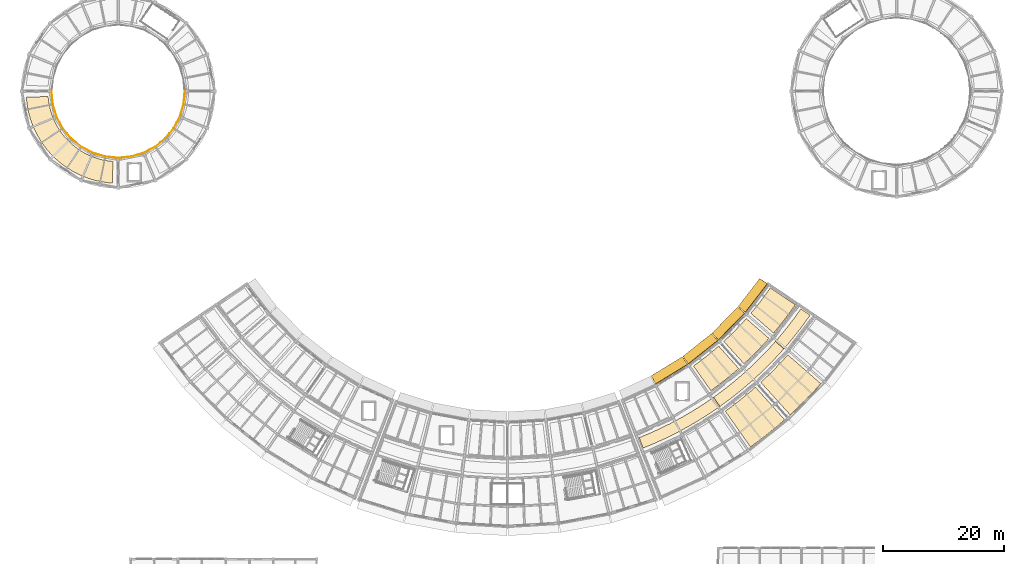
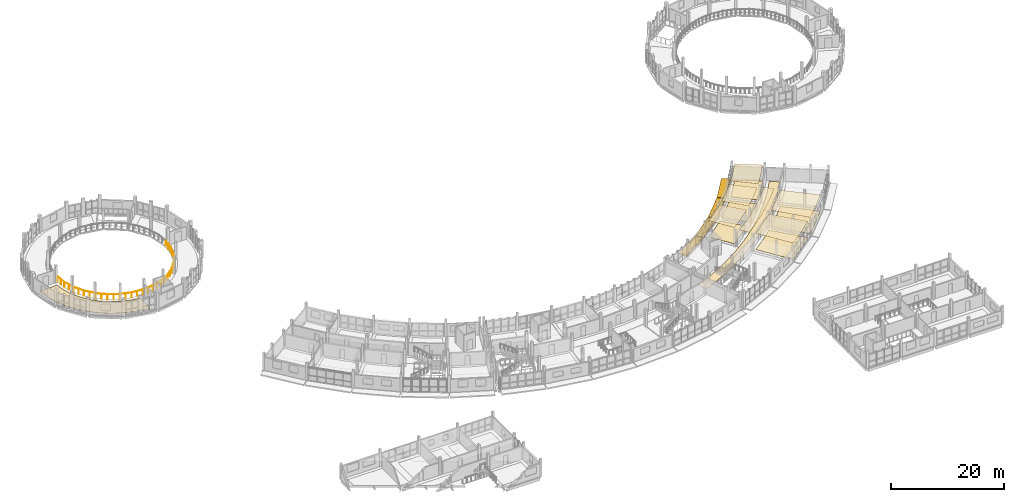
# One storey, part 74 of 77: 17 coverings, 4 shading devices, 1 railing.
"""IFC4 building model written with IfcOpenShell, lengths in metres."""

from ifc_helpers import new_model, si_unit, direction, frame, origin, origin_2d, place, context, subcontext, project, spatial, polyline, circle, outline, extrude, material, layer, layer_set, type_object, element, save


model = new_model("IFC4")

# Units and contexts
model_context = context("Model", 3, precision=1e-05, world=origin(), true_north=direction((0.0, 1.0)))
body_context = subcontext(model_context, "Body", "Model", "MODEL_VIEW")
ifc_project = project(units=[si_unit("LENGTHUNIT", "METRE"), si_unit("AREAUNIT", "SQUARE_METRE"), si_unit("VOLUMEUNIT", "CUBIC_METRE"), si_unit("PLANEANGLEUNIT", "RADIAN"), si_unit("MASSUNIT", "GRAM", prefix="KILO")], contexts=[model_context])

# Site, building, storey
site_placement = place(None, origin())
site = spatial("IfcSite", under=ifc_project, at=site_placement, CompositionType="ELEMENT")
building_placement = place(site_placement, origin())
building = spatial("IfcBuilding", under=site, at=building_placement, Name="Caldaven Crescent School", CompositionType="ELEMENT")
storey_placement = place(building_placement, frame((0.0, 0.0, 4.419921875)))
storey = spatial("IfcBuildingStorey", under=building, at=storey_placement, Name="L01", CompositionType="ELEMENT", Elevation=4.419921875)

# Coverings
ifc_material_1 = material(Name="White architectural GFRC precast concrete C35/45 cladding", Category="concrete")
ifc_layer_1 = layer(ifc_material_1, 0.260009765625)
ifc_layer_set_1 = layer_set([ifc_layer_1], Name="White architectural GFRC precast concrete C35/45 cladding")
covering_type_1 = type_object("IfcCoveringType", Name="COV-CLD2", PredefinedType="CLADDING", material=ifc_layer_set_1)
covering_1_placement = place(storey_placement, frame((0.0, 0.0, -0.260009765625)))
element("IfcCovering", 1, at=covering_1_placement, inside=storey, type_object=covering_type_1, Name="CLD-IN-L01-025", PredefinedType="CLADDING", context=body_context, shape_type="SweptSolid", body=[
    extrude(outline(polyline([(111.802001953125, 51.34765625), (116.9794921875, 54.5205078125), (117.89599609375, 53.208984375), (112.5546875, 49.935791015625), (111.802001953125, 51.34765625)])), origin(), (0.0, 0.0, 1.0), 0.260009765625),
])
covering_2_placement = place(storey_placement, frame((0.0, 0.0, -0.260009765625)))
element("IfcCovering", 2, at=covering_2_placement, inside=storey, type_object=covering_type_1, Name="CLD-IN-L01-027", PredefinedType="CLADDING", context=body_context, shape_type="SweptSolid", body=[
    extrude(outline(polyline([(117.06640625, 54.581298828125), (121.818603515625, 58.361328125), (122.887939453125, 57.17138671875), (117.9853515625, 53.271728515625), (117.06640625, 54.581298828125)])), origin(), (0.0, 0.0, 1.0), 0.260009765625),
])
covering_3_placement = place(storey_placement, frame((0.0, 0.0, -0.260009765625)))
element("IfcCovering", 3, at=covering_3_placement, inside=storey, type_object=covering_type_1, Name="CLD-IN-L01-029", PredefinedType="CLADDING", context=body_context, shape_type="SweptSolid", body=[
    extrude(outline(polyline([(121.8974609375, 58.432373046875), (126.153564453125, 62.763427734375), (127.35986328125, 61.71240234375), (122.96923828125, 57.244384765625), (121.8974609375, 58.432373046875)])), origin(), (0.0, 0.0, 1.0), 0.260009765625),
])
covering_4_placement = place(storey_placement, frame((0.0, 0.0, -0.260009765625)))
element("IfcCovering", 4, at=covering_4_placement, inside=storey, type_object=covering_type_1, Name="CLD-IN-L01-031", PredefinedType="CLADDING", context=body_context, shape_type="SweptSolid", body=[
    extrude(outline(polyline([(126.22314453125, 62.843505859375), (129.80322265625, 67.4892578125), (131.125, 66.587890625), (127.431640625, 61.794921875), (126.22314453125, 62.843505859375)])), origin(), (0.0, 0.0, 1.0), 0.260009765625),
])
ifc_material_2 = material(Name="Perforated Pino Radiata acoustic timber baffle ceiling", Category="wood")
ifc_layer_2 = layer(ifc_material_2, 0.030029296875)
ifc_layer_set_2 = layer_set([ifc_layer_2], Name="Perforated Pino Radiata acoustic timber baffle ceiling")
covering_type_2 = type_object("IfcCoveringType", Name="COV-CLG1", PredefinedType="CEILING", material=ifc_layer_set_2)
covering_5_placement = place(storey_placement, frame((0.0, 0.0, 3.489990234375)))
element("IfcCovering", 5, at=covering_5_placement, inside=storey, type_object=covering_type_2, Name="CLG-L01-132", PredefinedType="CEILING", context=body_context, shape_type="SweptSolid", body=[
    extrude(outline(polyline([(122.281494140625, 47.8955078125), (122.29443359375, 47.90478515625), (123.9677734375, 49.14306640625), (123.98046875, 49.152587890625), (125.60888671875, 50.44970703125), (125.62109375, 50.459716796875), (127.202392578125, 51.813720703125), (127.21435546875, 51.82421875), (128.74658203125, 53.2333984375), (128.758056640625, 53.244384765625), (130.239501953125, 54.707275390625), (130.25048828125, 54.718505859375), (131.678955078125, 56.23291015625), (131.689697265625, 56.244873046875), (132.396484375, 57.0498046875), (133.799560546875, 55.829345703125), (133.059814453125, 54.987060546875), (131.5751953125, 53.412841796875), (130.03564453125, 51.892578125), (128.443115234375, 50.427734375), (126.79931640625, 49.0205078125), (125.106689453125, 47.672607421875), (123.36767578125, 46.385498046875), (123.2119140625, 46.27880859375), (122.143310546875, 47.80078125), (122.281494140625, 47.8955078125)])), origin(), (0.0, 0.0, 1.0), 0.030029296875),
])
covering_6_placement = place(storey_placement, frame((0.0, 0.0, 3.489990234375)))
element("IfcCovering", 6, at=covering_6_placement, inside=storey, type_object=covering_type_2, Name="CLG-L01-136", PredefinedType="CEILING", context=body_context, shape_type="SweptSolid", body=[
    extrude(outline(polyline([(125.189697265625, 46.304931640625), (125.2001953125, 46.312744140625), (126.63427734375, 47.41943359375), (126.644775390625, 47.427734375), (128.04541015625, 48.575927734375), (128.0556640625, 48.58447265625), (129.08740234375, 49.482421875), (133.932861328125, 44.075927734375), (132.735107421875, 43.03369140625), (131.158935546875, 41.74169921875), (129.54541015625, 40.496826171875), (128.260498046875, 39.56396484375), (124.082763671875, 45.50146484375), (125.189697265625, 46.304931640625)])), origin(), (0.0, 0.0, 1.0), 0.030029296875),
])
ifc_layer_3 = layer(ifc_material_2, 0.0380859375)
ifc_layer_set_3 = layer_set([ifc_layer_3], Name="Perforated Pino Radiata acoustic timber baffle ceiling")
covering_type_3 = type_object("IfcCoveringType", Name="COV-CLG2", PredefinedType="CEILING", material=ifc_layer_set_3)
covering_7_placement = place(storey_placement, frame((0.0, 0.0, 3.482177734375)))
element("IfcCovering", 7, at=covering_7_placement, inside=storey, type_object=covering_type_3, Name="CLG-L01-137", PredefinedType="CEILING", context=body_context, shape_type="SweptSolid", body=[
    extrude(outline(polyline([(124.640869140625, 57.802734375), (124.650390625, 57.81201171875), (125.747802734375, 58.896240234375), (125.757080078125, 58.905517578125), (126.822021484375, 60.021484375), (126.830810546875, 60.03125), (127.56591796875, 60.8486328125), (131.331787109375, 57.559814453125), (130.494140625, 56.62841796875), (129.318603515625, 55.396240234375), (128.107421875, 54.199462890625), (127.190673828125, 53.345458984375), (123.836669921875, 57.053466796875), (124.640869140625, 57.802734375)])), origin(), (0.0, 0.0, 1.0), 0.037841796875),
])
ifc_layer_4 = layer(ifc_material_2, 0.0458984375)
ifc_layer_set_4 = layer_set([ifc_layer_4], Name="Perforated Pino Radiata acoustic timber baffle ceiling")
covering_type_4 = type_object("IfcCoveringType", Name="COV-CLG3", PredefinedType="CEILING", material=ifc_layer_set_4)
covering_8_placement = place(storey_placement, frame((0.0, 0.0, 3.47412109375)))
element("IfcCovering", 8, at=covering_8_placement, inside=storey, type_object=covering_type_4, Name="CLG-L01-138", PredefinedType="CEILING", context=body_context, shape_type="SweptSolid", body=[
    extrude(outline(polyline([(130.96875, 51.20751953125), (130.978515625, 51.216796875), (132.266845703125, 52.489990234375), (132.276123046875, 52.499267578125), (133.526611328125, 53.809814453125), (133.535400390625, 53.8193359375), (134.4501953125, 54.83642578125), (139.91845703125, 50.060791015625), (138.8564453125, 48.88037109375), (137.44970703125, 47.406005859375), (136.0, 45.973388671875), (134.838134765625, 44.89111328125), (129.968017578125, 50.275146484375), (130.96875, 51.20751953125)])), origin(), (0.0, 0.0, 1.0), 0.0458984375),
])
ifc_layer_5 = layer(ifc_material_2, 0.053955078125)
ifc_layer_set_5 = layer_set([ifc_layer_5], Name="Perforated Pino Radiata acoustic timber baffle ceiling")
covering_type_5 = type_object("IfcCoveringType", Name="COV-CLG4", PredefinedType="CEILING", material=ifc_layer_set_5)
covering_9_placement = place(storey_placement, frame((0.0, 0.0, 3.466064453125)))
element("IfcCovering", 9, at=covering_9_placement, inside=storey, type_object=covering_type_5, Name="CLG-L01-135", PredefinedType="CEILING", context=body_context, shape_type="SweptSolid", body=[
    extrude(outline(polyline([(119.712646484375, 53.6220703125), (119.72314453125, 53.6298828125), (120.944580078125, 54.572509765625), (120.954833984375, 54.580810546875), (122.14794921875, 55.55859375), (122.157958984375, 55.567138671875), (122.9873046875, 56.288818359375), (126.32421875, 52.5654296875), (125.379150390625, 51.742919921875), (124.062255859375, 50.66357421875), (122.714111328125, 49.623291015625), (121.7001953125, 48.88720703125), (118.822998046875, 52.976318359375), (119.712646484375, 53.6220703125)])), origin(), (0.0, 0.0, 1.0), 0.053955078125),
])
covering_10_placement = place(storey_placement, frame((0.0, 0.0, 3.43603515625)))
element("IfcCovering", 10, at=covering_10_placement, inside=storey, type_object=covering_type_5, Name="CLG-L01-139", PredefinedType="CEILING", context=body_context, shape_type="SweptSolid", body=[
    extrude(outline(polyline([(129.022705078125, 62.552978515625), (129.031005859375, 62.56298828125), (129.988037109375, 63.77294921875), (129.99609375, 63.783447265625), (130.917236328125, 65.02099609375), (130.9248046875, 65.03173828125), (131.554931640625, 65.9326171875), (135.693603515625, 63.127197265625), (134.9755859375, 62.1005859375), (133.958984375, 60.734619140625), (132.902587890625, 59.39892578125), (132.0966796875, 58.439697265625), (128.31591796875, 61.711181640625), (129.022705078125, 62.552978515625)])), origin(), (0.0, 0.0, 1.0), 0.053955078125),
])
ifc_material_3 = material(Name="Polished terrazzo and acoustic linoleum flooring")
ifc_layer_6 = layer(ifc_material_3, 0.02001953125)
ifc_layer_set_6 = layer_set([ifc_layer_6], Name="Polished terrazzo and acoustic linoleum flooring")
covering_type_6 = type_object("IfcCoveringType", Name="COV-FLR1", PredefinedType="FLOORING", material=ifc_layer_set_6)
covering_11_placement = place(storey_placement, origin())
element("IfcCovering", 11, at=covering_11_placement, inside=storey, type_object=covering_type_6, Name="FLR-L01-132", PredefinedType="FLOORING", context=body_context, shape_type="SweptSolid", body=[
    extrude(outline(polyline([(109.815673828125, 41.11279296875), (111.3330078125, 41.73388671875), (111.347900390625, 41.739990234375), (113.2451171875, 42.596435546875), (113.259765625, 42.603515625), (115.12548828125, 43.526611328125), (115.1396484375, 43.533935546875), (116.971435546875, 44.522705078125), (116.985595703125, 44.530517578125), (118.781005859375, 45.583984375), (118.794677734375, 45.59228515625), (120.5517578125, 46.70849609375), (120.565185546875, 46.71728515625), (122.281494140625, 47.8955078125), (122.29443359375, 47.90478515625), (123.9677734375, 49.14306640625), (123.98046875, 49.152587890625), (125.60888671875, 50.44970703125), (125.62109375, 50.459716796875), (127.202392578125, 51.813720703125), (127.21435546875, 51.82421875), (128.74658203125, 53.2333984375), (128.758056640625, 53.244384765625), (130.239501953125, 54.707275390625), (130.25048828125, 54.718505859375), (131.678955078125, 56.23291015625), (131.689697265625, 56.244873046875), (133.063232421875, 57.808837890625), (133.073486328125, 57.821044921875), (134.390869140625, 59.43310546875), (134.40087890625, 59.445556640625), (135.659912109375, 61.103271484375), (135.66943359375, 61.1162109375), (136.6142578125, 62.456298828125), (138.153076171875, 61.41162109375), (137.16552734375, 60.010986328125), (135.856689453125, 58.2880859375), (134.487548828125, 56.61279296875), (133.059814453125, 54.987060546875), (131.5751953125, 53.412841796875), (130.03564453125, 51.892578125), (128.443115234375, 50.427734375), (126.79931640625, 49.0205078125), (125.106689453125, 47.672607421875), (123.36767578125, 46.385498046875), (121.58349609375, 45.160888671875), (119.75732421875, 44.000732421875), (117.89111328125, 42.906005859375), (115.987060546875, 41.878173828125), (114.047607421875, 40.91845703125), (112.075439453125, 40.0283203125), (110.489501953125, 39.37939453125), (109.815673828125, 41.11279296875)])), origin(), (0.0, 0.0, 1.0), 0.02001953125),
])
covering_12_placement = place(storey_placement, origin())
element("IfcCovering", 12, at=covering_12_placement, inside=storey, type_object=covering_type_6, Name="FLR-L01-135", PredefinedType="FLOORING", context=body_context, shape_type="SweptSolid", body=[
    extrude(outline(polyline([(118.822998046875, 52.976318359375), (119.712646484375, 53.6220703125), (119.72314453125, 53.6298828125), (120.944580078125, 54.572509765625), (120.954833984375, 54.580810546875), (122.14794921875, 55.55859375), (122.157958984375, 55.567138671875), (122.9873046875, 56.288818359375), (126.32421875, 52.5654296875), (125.379150390625, 51.742919921875), (124.062255859375, 50.66357421875), (122.714111328125, 49.623291015625), (121.7001953125, 48.88720703125), (118.822998046875, 52.976318359375)])), origin(), (0.0, 0.0, 1.0), 0.02001953125),
])
covering_13_placement = place(storey_placement, origin())
element("IfcCovering", 13, at=covering_13_placement, inside=storey, type_object=covering_type_6, Name="FLR-L01-138", PredefinedType="FLOORING", context=body_context, shape_type="SweptSolid", body=[
    extrude(outline(polyline([(129.968017578125, 50.275146484375), (130.96875, 51.20751953125), (130.978515625, 51.216796875), (132.266845703125, 52.489990234375), (132.276123046875, 52.499267578125), (133.526611328125, 53.809814453125), (133.535400390625, 53.8193359375), (134.4501953125, 54.83642578125), (139.91845703125, 50.060791015625), (138.8564453125, 48.88037109375), (137.44970703125, 47.406005859375), (136.0, 45.973388671875), (134.838134765625, 44.89111328125), (129.968017578125, 50.275146484375)])), origin(), (0.0, 0.0, 1.0), 0.02001953125),
])
ifc_layer_7 = layer(ifc_material_3, 0.02587890625)
ifc_layer_set_7 = layer_set([ifc_layer_7], Name="Polished terrazzo and acoustic linoleum flooring")
covering_type_7 = type_object("IfcCoveringType", Name="COV-FLR2", PredefinedType="FLOORING", material=ifc_layer_set_7)
covering_14_placement = place(storey_placement, origin())
element("IfcCovering", 14, at=covering_14_placement, inside=storey, type_object=covering_type_7, Name="FLR-L01-136", PredefinedType="FLOORING", context=body_context, shape_type="SweptSolid", body=[
    extrude(outline(polyline([(124.082763671875, 45.50146484375), (125.189697265625, 46.304931640625), (125.2001953125, 46.312744140625), (126.63427734375, 47.41943359375), (126.644775390625, 47.427734375), (128.04541015625, 48.575927734375), (128.0556640625, 48.58447265625), (129.08740234375, 49.482421875), (133.932861328125, 44.075927734375), (132.735107421875, 43.03369140625), (131.158935546875, 41.74169921875), (129.54541015625, 40.496826171875), (128.260498046875, 39.56396484375), (124.082763671875, 45.50146484375)])), origin(), (0.0, 0.0, 1.0), 0.026123046875),
])
covering_15_placement = place(storey_placement, origin())
element("IfcCovering", 15, at=covering_15_placement, inside=storey, type_object=covering_type_7, Name="FLR-L01-139", PredefinedType="FLOORING", context=body_context, shape_type="SweptSolid", body=[
    extrude(outline(polyline([(128.31591796875, 61.711181640625), (129.022705078125, 62.552978515625), (129.031005859375, 62.56298828125), (129.988037109375, 63.77294921875), (129.99609375, 63.783447265625), (130.917236328125, 65.02099609375), (130.9248046875, 65.03173828125), (131.554931640625, 65.9326171875), (135.693603515625, 63.127197265625), (134.9755859375, 62.1005859375), (133.958984375, 60.734619140625), (132.902587890625, 59.39892578125), (132.0966796875, 58.439697265625), (128.31591796875, 61.711181640625)])), origin(), (0.0, 0.0, 1.0), 0.026123046875),
])
ifc_layer_8 = layer(ifc_material_3, 0.031982421875)
ifc_layer_set_8 = layer_set([ifc_layer_8], Name="Polished terrazzo and acoustic linoleum flooring")
covering_type_8 = type_object("IfcCoveringType", Name="COV-FLR3", PredefinedType="FLOORING", material=ifc_layer_set_8)
covering_16_placement = place(storey_placement, origin())
element("IfcCovering", 16, at=covering_16_placement, inside=storey, type_object=covering_type_8, Name="FLR-L01-026", PredefinedType="FLOORING", context=body_context, shape_type="SweptSolid", body=[
    extrude(outline(polyline([(11.882080078125, 97.64404296875), (11.9130859375, 97.2900390625), (11.914794921875, 97.2744140625), (11.96240234375, 96.886474609375), (11.964599609375, 96.870849609375), (12.025634765625, 96.484619140625), (12.0283203125, 96.46923828125), (12.102783203125, 96.085693359375), (12.106201171875, 96.070068359375), (12.194091796875, 95.689208984375), (12.197998046875, 95.674072265625), (12.29931640625, 95.29638671875), (12.3037109375, 95.28125), (12.41796875, 94.907470703125), (12.422607421875, 94.892578125), (12.5498046875, 94.52294921875), (12.555419921875, 94.508056640625), (12.6953125, 94.14306640625), (12.701416015625, 94.12841796875), (12.85400390625, 93.768798828125), (12.8603515625, 93.75439453125), (13.025634765625, 93.400146484375), (13.03271484375, 93.385986328125), (13.210205078125, 93.03759765625), (13.21728515625, 93.023681640625), (13.406982421875, 92.681884765625), (13.414794921875, 92.668212890625), (13.6162109375, 92.3330078125), (13.62451171875, 92.31982421875), (13.83740234375, 91.991943359375), (13.84619140625, 91.97900390625), (14.0703125, 91.65869140625), (14.07958984375, 91.64599609375), (14.31494140625, 91.333740234375), (14.32470703125, 91.3212890625), (14.570556640625, 91.017578125), (14.580810546875, 91.005615234375), (14.837158203125, 90.71044921875), (14.84765625, 90.69873046875), (15.1142578125, 90.412841796875), (15.125244140625, 90.401611328125), (15.401611328125, 90.125244140625), (15.412841796875, 90.1142578125), (15.69873046875, 89.84765625), (15.71044921875, 89.837158203125), (16.005615234375, 89.580810546875), (16.017578125, 89.570556640625), (16.3212890625, 89.32470703125), (16.333740234375, 89.31494140625), (16.64599609375, 89.07958984375), (16.65869140625, 89.0703125), (16.97900390625, 88.84619140625), (16.991943359375, 88.83740234375), (17.31982421875, 88.62451171875), (17.3330078125, 88.6162109375), (17.668212890625, 88.414794921875), (17.681884765625, 88.406982421875), (18.023681640625, 88.21728515625), (18.03759765625, 88.210205078125), (18.385986328125, 88.03271484375), (18.39990234375, 88.025634765625), (18.75439453125, 87.860595703125), (18.7685546875, 87.85400390625), (19.12841796875, 87.701416015625), (19.14306640625, 87.6953125), (19.508056640625, 87.555419921875), (19.52294921875, 87.5498046875), (19.892578125, 87.422607421875), (19.907470703125, 87.41796875), (20.28125, 87.3037109375), (20.29638671875, 87.29931640625), (20.674072265625, 87.197998046875), (20.689208984375, 87.194091796875), (21.070068359375, 87.106201171875), (21.085693359375, 87.102783203125), (21.46923828125, 87.0283203125), (21.484619140625, 87.025634765625), (21.870849609375, 86.964599609375), (21.886474609375, 86.96240234375), (22.2744140625, 86.914794921875), (22.2900390625, 86.9130859375), (22.64404296875, 86.882080078125), (22.518310546875, 83.282958984375), (22.436279296875, 83.287109375), (21.906005859375, 83.33349609375), (21.377685546875, 83.3984375), (20.851806640625, 83.481689453125), (20.329345703125, 83.583251953125), (19.810791015625, 83.703125), (19.29638671875, 83.8408203125), (18.78759765625, 83.996337890625), (18.2841796875, 84.169677734375), (17.787353515625, 84.360595703125), (17.29736328125, 84.568603515625), (16.81494140625, 84.79345703125), (16.340576171875, 85.03515625), (15.875, 85.293212890625), (15.418701171875, 85.5673828125), (14.972412109375, 85.857177734375), (14.536376953125, 86.16259765625), (14.111083984375, 86.48291015625), (13.697509765625, 86.81787109375), (13.2958984375, 87.1669921875), (12.906494140625, 87.530029296875), (12.530029296875, 87.906494140625), (12.1669921875, 88.2958984375), (11.81787109375, 88.697509765625), (11.48291015625, 89.111083984375), (11.16259765625, 89.536376953125), (10.857177734375, 89.972412109375), (10.5673828125, 90.418701171875), (10.293212890625, 90.875), (10.03515625, 91.340576171875), (9.79345703125, 91.81494140625), (9.568603515625, 92.29736328125), (9.360595703125, 92.787353515625), (9.169677734375, 93.2841796875), (8.996337890625, 93.78759765625), (8.8408203125, 94.29638671875), (8.703125, 94.810791015625), (8.583251953125, 95.329345703125), (8.481689453125, 95.851806640625), (8.3984375, 96.377685546875), (8.33349609375, 96.906005859375), (8.287109375, 97.436279296875), (8.282958984375, 97.518310546875), (11.882080078125, 97.64404296875)])), origin(), (0.0, 0.0, 1.0), 0.031982421875),
])
covering_17_placement = place(storey_placement, origin())
element("IfcCovering", 17, at=covering_17_placement, inside=storey, type_object=covering_type_8, Name="FLR-L01-137", PredefinedType="FLOORING", context=body_context, shape_type="SweptSolid", body=[
    extrude(outline(polyline([(123.836669921875, 57.053466796875), (124.640869140625, 57.802734375), (124.650390625, 57.81201171875), (125.747802734375, 58.896240234375), (125.757080078125, 58.905517578125), (126.822021484375, 60.021484375), (126.830810546875, 60.03125), (127.56591796875, 60.8486328125), (131.331787109375, 57.559814453125), (130.494140625, 56.62841796875), (129.318603515625, 55.396240234375), (128.107421875, 54.199462890625), (127.190673828125, 53.345458984375), (123.836669921875, 57.053466796875)])), origin(), (0.0, 0.0, 1.0), 0.031982421875),
])

# Railing
ifc_material_4 = material(Name="Powder-coated tubular steel balustrade ASTM A572 Grade 50", Category="steel")
railing_type = type_object("IfcRailingType", Name="RAL-INT4", PredefinedType="BALUSTRADE", material=ifc_material_4)
railing_placement = place(storey_placement, frame((12.462890625, 98.47021484375, 0.0)))
element("IfcRailing", 18, at=railing_placement, inside=storey, type_object=railing_type, Name="GD-GAL-V2-L01-B", PredefinedType="BALUSTRADE", context=body_context, shape_type="SweptSolid", body=[
    extrude(circle(Radius=0.02392578125, at=origin_2d()), frame((0.0, 0.0, 1.15576171875), z_axis=(0.098031277858, -0.995183334146, 0.0), x_axis=(0.995183334146, 0.098031277858, 0.0)), (0.0, 0.0, 1.0), 2.13427734375),
    extrude(circle(Radius=0.02392578125, at=origin_2d()), frame((0.209228515625, -2.1240234375, 1.15576171875), z_axis=(0.290254728067, -0.956949420207, 0.0), x_axis=(0.956949420207, 0.290254728067, 0.0)), (0.0, 0.0, 1.0), 2.164306640625),
    extrude(circle(Radius=0.02392578125, at=origin_2d()), frame((0.83740234375, -4.195068359375, 1.15576171875), z_axis=(0.471413577159, -0.881912262796, 0.0), x_axis=(0.881912262796, 0.471413577159, 0.0)), (0.0, 0.0, 1.0), 2.164306640625),
    extrude(circle(Radius=0.02392578125, at=origin_2d()), frame((1.857666015625, -6.103759765625, 1.15576171875), z_axis=(0.634441070764, -0.772971233441, 0.0), x_axis=(0.772971233441, 0.634441070764, 0.0)), (0.0, 0.0, 1.0), 2.1640625),
    extrude(circle(Radius=0.02392578125, at=origin_2d()), frame((3.230712890625, -7.776611328125, 1.15576171875), z_axis=(0.772971233441, -0.634441070764, 0.0), x_axis=(0.634441070764, 0.772971233441, 0.0)), (0.0, 0.0, 1.0), 2.1640625),
    extrude(circle(Radius=0.02392578125, at=origin_2d()), frame((4.903564453125, -9.149658203125, 1.15576171875), z_axis=(0.881912262796, -0.471413577159, 0.0), x_axis=(0.471413577159, 0.881912262796, 0.0)), (0.0, 0.0, 1.0), 2.164306640625),
    extrude(circle(Radius=0.02392578125, at=origin_2d()), frame((6.812255859375, -10.169921875, 1.15576171875), z_axis=(0.956949420207, -0.290254728067, 0.0), x_axis=(0.290254728067, 0.956949420207, 0.0)), (0.0, 0.0, 1.0), 2.164306640625),
    extrude(circle(Radius=0.02392578125, at=origin_2d()), frame((8.88330078125, -10.798095703125, 1.15576171875), z_axis=(0.995183528951, -0.098029300233, 0.0), x_axis=(0.098029300233, 0.995183528951, 0.0)), (0.0, 0.0, 1.0), 2.164306640625),
    extrude(circle(Radius=0.02392578125, at=origin_2d()), frame((11.037109375, -11.01025390625, 1.15576171875), z_axis=(0.995183528951, 0.098029300233, 0.0), x_axis=(-0.098029300233, 0.995183528951, 0.0)), (0.0, 0.0, 1.0), 2.164306640625),
    extrude(circle(Radius=0.02392578125, at=origin_2d()), frame((13.19091796875, -10.798095703125, 1.15576171875), z_axis=(0.956949420207, 0.290254728067, 0.0), x_axis=(-0.290254728067, 0.956949420207, 0.0)), (0.0, 0.0, 1.0), 2.164306640625),
    extrude(circle(Radius=0.02392578125, at=origin_2d()), frame((15.261962890625, -10.169921875, 1.15576171875), z_axis=(0.881912262796, 0.471413577159, 0.0), x_axis=(-0.471413577159, 0.881912262796, 0.0)), (0.0, 0.0, 1.0), 2.164306640625),
    extrude(circle(Radius=0.02392578125, at=origin_2d()), frame((17.170654296875, -9.149658203125, 1.15576171875), z_axis=(0.772971233441, 0.634441070764, 0.0), x_axis=(-0.634441070764, 0.772971233441, 0.0)), (0.0, 0.0, 1.0), 2.1640625),
    extrude(circle(Radius=0.02392578125, at=origin_2d()), frame((18.843505859375, -7.776611328125, 1.15576171875), z_axis=(0.634441070764, 0.772971233441, 0.0), x_axis=(-0.772971233441, 0.634441070764, 0.0)), (0.0, 0.0, 1.0), 2.1640625),
    extrude(circle(Radius=0.02392578125, at=origin_2d()), frame((20.216552734375, -6.103759765625, 1.15576171875), z_axis=(0.471413577159, 0.881912262796, 0.0), x_axis=(-0.881912262796, 0.471413577159, 0.0)), (0.0, 0.0, 1.0), 2.164306640625),
    extrude(circle(Radius=0.02392578125, at=origin_2d()), frame((21.23681640625, -4.195068359375, 1.15576171875), z_axis=(0.290254728067, 0.956949420207, 0.0), x_axis=(-0.956949420207, 0.290254728067, 0.0)), (0.0, 0.0, 1.0), 2.164306640625),
    extrude(circle(Radius=0.02392578125, at=origin_2d()), frame((21.864990234375, -2.1240234375, 1.15576171875), z_axis=(0.098031277858, 0.995183334146, 0.0), x_axis=(-0.995183334146, 0.098031277858, 0.0)), (0.0, 0.0, 1.0), 2.13427734375),
    extrude(circle(Radius=0.02099609375, at=origin_2d()), origin(), (0.0, 0.0, 1.0), 1.1318359375),
    extrude(circle(Radius=0.02099609375, at=origin_2d()), frame((0.1044921875, -1.06201171875, 0.0)), (0.0, 0.0, 1.0), 1.1318359375),
    extrude(circle(Radius=0.02099609375, at=origin_2d()), frame((0.209228515625, -2.1240234375, 0.0)), (0.0, 0.0, 1.0), 1.1318359375),
    extrude(circle(Radius=0.02099609375, at=origin_2d()), frame((0.5234375, -3.15966796875, 0.0)), (0.0, 0.0, 1.0), 1.1318359375),
    extrude(circle(Radius=0.02099609375, at=origin_2d()), frame((0.83740234375, -4.195068359375, 0.0)), (0.0, 0.0, 1.0), 1.1318359375),
    extrude(circle(Radius=0.02099609375, at=origin_2d()), frame((1.34765625, -5.1494140625, 0.0)), (0.0, 0.0, 1.0), 1.1318359375),
    extrude(circle(Radius=0.02099609375, at=origin_2d()), frame((1.857666015625, -6.103759765625, 0.0)), (0.0, 0.0, 1.0), 1.1318359375),
    extrude(circle(Radius=0.02099609375, at=origin_2d()), frame((2.544189453125, -6.940185546875, 0.0)), (0.0, 0.0, 1.0), 1.1318359375),
    extrude(circle(Radius=0.02099609375, at=origin_2d()), frame((3.230712890625, -7.776611328125, 0.0)), (0.0, 0.0, 1.0), 1.1318359375),
    extrude(circle(Radius=0.02099609375, at=origin_2d()), frame((4.067138671875, -8.463134765625, 0.0)), (0.0, 0.0, 1.0), 1.1318359375),
    extrude(circle(Radius=0.02099609375, at=origin_2d()), frame((4.903564453125, -9.149658203125, 0.0)), (0.0, 0.0, 1.0), 1.1318359375),
    extrude(circle(Radius=0.02099609375, at=origin_2d()), frame((5.85791015625, -9.65966796875, 0.0)), (0.0, 0.0, 1.0), 1.1318359375),
    extrude(circle(Radius=0.02099609375, at=origin_2d()), frame((6.812255859375, -10.169921875, 0.0)), (0.0, 0.0, 1.0), 1.1318359375),
    extrude(circle(Radius=0.02099609375, at=origin_2d()), frame((7.84765625, -10.48388671875, 0.0)), (0.0, 0.0, 1.0), 1.1318359375),
    extrude(circle(Radius=0.02099609375, at=origin_2d()), frame((8.88330078125, -10.798095703125, 0.0)), (0.0, 0.0, 1.0), 1.1318359375),
    extrude(circle(Radius=0.02099609375, at=origin_2d()), frame((9.960205078125, -10.904296875, 0.0)), (0.0, 0.0, 1.0), 1.1318359375),
    extrude(circle(Radius=0.02099609375, at=origin_2d()), frame((11.037109375, -11.01025390625, 0.0)), (0.0, 0.0, 1.0), 1.1318359375),
    extrude(circle(Radius=0.02099609375, at=origin_2d()), frame((12.114013671875, -10.904296875, 0.0)), (0.0, 0.0, 1.0), 1.1318359375),
    extrude(circle(Radius=0.02099609375, at=origin_2d()), frame((13.19091796875, -10.798095703125, 0.0)), (0.0, 0.0, 1.0), 1.1318359375),
    extrude(circle(Radius=0.02099609375, at=origin_2d()), frame((14.2265625, -10.48388671875, 0.0)), (0.0, 0.0, 1.0), 1.1318359375),
    extrude(circle(Radius=0.02099609375, at=origin_2d()), frame((15.261962890625, -10.169921875, 0.0)), (0.0, 0.0, 1.0), 1.1318359375),
    extrude(circle(Radius=0.02099609375, at=origin_2d()), frame((16.21630859375, -9.65966796875, 0.0)), (0.0, 0.0, 1.0), 1.1318359375),
    extrude(circle(Radius=0.02099609375, at=origin_2d()), frame((17.170654296875, -9.149658203125, 0.0)), (0.0, 0.0, 1.0), 1.1318359375),
    extrude(circle(Radius=0.02099609375, at=origin_2d()), frame((18.007080078125, -8.463134765625, 0.0)), (0.0, 0.0, 1.0), 1.1318359375),
    extrude(circle(Radius=0.02099609375, at=origin_2d()), frame((18.843505859375, -7.776611328125, 0.0)), (0.0, 0.0, 1.0), 1.1318359375),
    extrude(circle(Radius=0.02099609375, at=origin_2d()), frame((19.530029296875, -6.940185546875, 0.0)), (0.0, 0.0, 1.0), 1.1318359375),
    extrude(circle(Radius=0.02099609375, at=origin_2d()), frame((20.216552734375, -6.103759765625, 0.0)), (0.0, 0.0, 1.0), 1.1318359375),
    extrude(circle(Radius=0.02099609375, at=origin_2d()), frame((20.7265625, -5.1494140625, 0.0)), (0.0, 0.0, 1.0), 1.1318359375),
    extrude(circle(Radius=0.02099609375, at=origin_2d()), frame((21.23681640625, -4.195068359375, 0.0)), (0.0, 0.0, 1.0), 1.1318359375),
    extrude(circle(Radius=0.02099609375, at=origin_2d()), frame((21.55078125, -3.15966796875, 0.0)), (0.0, 0.0, 1.0), 1.1318359375),
    extrude(circle(Radius=0.02099609375, at=origin_2d()), frame((21.864990234375, -2.1240234375, 0.0)), (0.0, 0.0, 1.0), 1.1318359375),
    extrude(circle(Radius=0.02099609375, at=origin_2d()), frame((21.9697265625, -1.06201171875, 0.0)), (0.0, 0.0, 1.0), 1.1318359375),
    extrude(circle(Radius=0.02099609375, at=origin_2d()), frame((22.07421875, 0.0, 0.0)), (0.0, 0.0, 1.0), 1.1318359375),
])

# Shading devices
ifc_material_5 = material(Name="Precast concrete C35/45", Category="concrete")
ifc_layer_9 = layer(ifc_material_5, 0.1298828125)
ifc_layer_set_9 = layer_set([ifc_layer_9], Name="Precast concrete C35/45")
shading_device_type = type_object("IfcShadingDeviceType", Name="SHD-S02", PredefinedType="AWNING", material=ifc_layer_set_9)
shading_device_1_placement = place(storey_placement, frame((0.0, 0.0, -0.1298828125)))
element("IfcShadingDevice", 19, at=shading_device_1_placement, inside=storey, type_object=shading_device_type, Name="SHD-LDG-L01-019", PredefinedType="AWNING", context=body_context, shape_type="SweptSolid", body=[
    extrude(outline(polyline([(111.817626953125, 51.35595703125), (116.965087890625, 54.510498046875), (117.835205078125, 53.26416015625), (112.533203125, 50.014892578125), (111.817626953125, 51.35595703125)])), origin(), (0.0, 0.0, 1.0), 0.1298828125),
])
shading_device_2_placement = place(storey_placement, frame((0.0, 0.0, -0.1298828125)))
element("IfcShadingDevice", 20, at=shading_device_2_placement, inside=storey, type_object=shading_device_type, Name="SHD-LDG-L01-020", PredefinedType="AWNING", context=body_context, shape_type="SweptSolid", body=[
    extrude(outline(polyline([(117.080810546875, 54.591552734375), (121.805419921875, 58.349609375), (122.821044921875, 57.21875), (117.954345703125, 53.34765625), (117.080810546875, 54.591552734375)])), origin(), (0.0, 0.0, 1.0), 0.1298828125),
])
shading_device_3_placement = place(storey_placement, frame((0.0, 0.0, -0.1298828125)))
element("IfcShadingDevice", 21, at=shading_device_3_placement, inside=storey, type_object=shading_device_type, Name="SHD-LDG-L01-021", PredefinedType="AWNING", context=body_context, shape_type="SweptSolid", body=[
    extrude(outline(polyline([(121.910400390625, 58.444091796875), (126.141845703125, 62.750244140625), (127.28759765625, 61.751220703125), (122.92919921875, 57.31591796875), (121.910400390625, 58.444091796875)])), origin(), (0.0, 0.0, 1.0), 0.1298828125),
])
shading_device_4_placement = place(storey_placement, frame((0.0, 0.0, -0.1298828125)))
element("IfcShadingDevice", 22, at=shading_device_4_placement, inside=storey, type_object=shading_device_type, Name="SHD-LDG-L01-022", PredefinedType="AWNING", context=body_context, shape_type="SweptSolid", body=[
    extrude(outline(polyline([(126.234619140625, 62.856689453125), (129.793212890625, 67.474853515625), (131.048583984375, 66.617919921875), (127.383056640625, 61.861083984375), (126.234619140625, 62.856689453125)])), origin(), (0.0, 0.0, 1.0), 0.1298828125),
])

save(model, "model.ifc")
